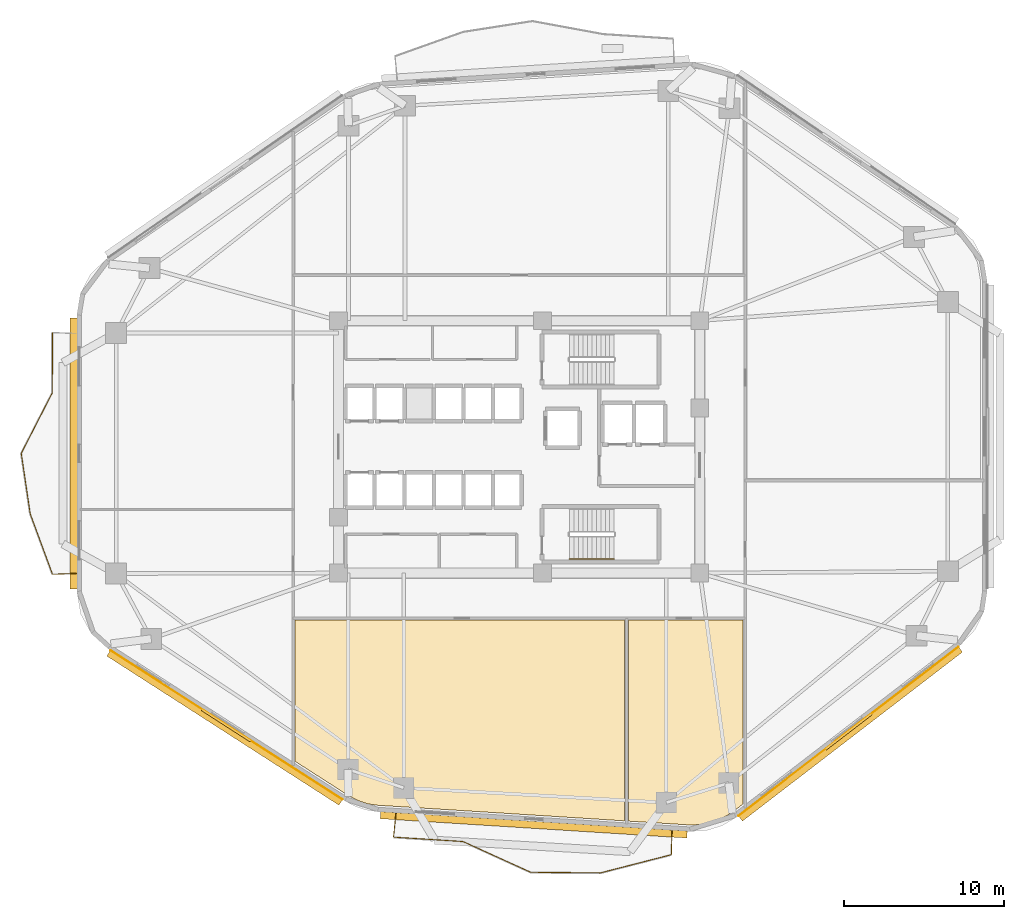
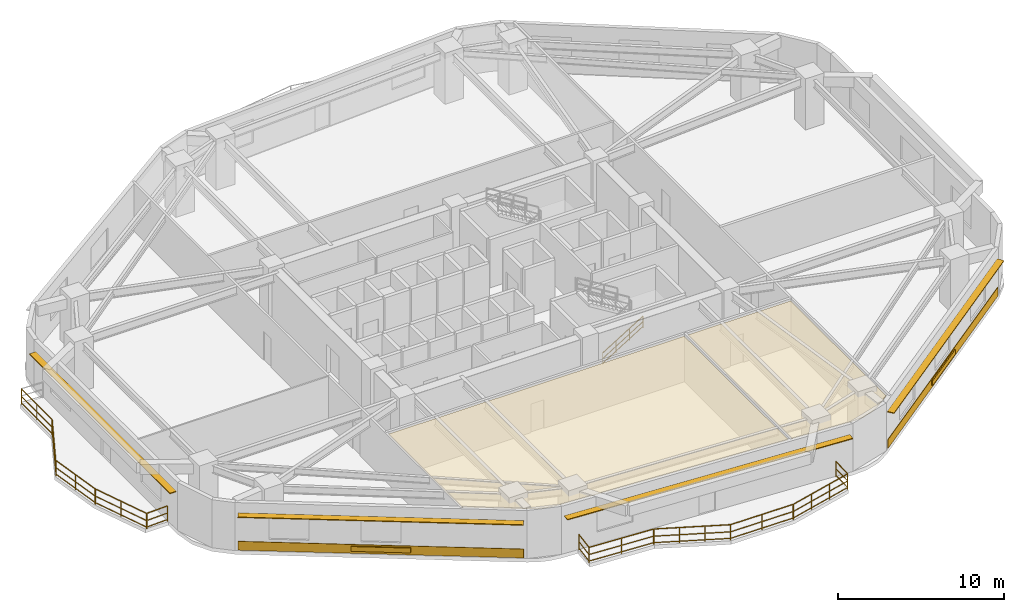
# One storey, part 7 of 11: 12 railings, 6 shading devices, 4 coverings.
"""IFC4 building model written with IfcOpenShell, lengths in metres."""

from ifc_helpers import new_model, si_unit, direction, frame, origin, origin_2d, place, context, subcontext, project, spatial, polyline, rectangle, outline, extrude, material, layer, layer_set, type_object, element, save


model = new_model("IFC4")

# Units and contexts
model_context = context("Model", 3, precision=1e-05, world=origin(), true_north=direction((0.0, 1.0)))
body_context = subcontext(model_context, "Body", "Model", "MODEL_VIEW")
ifc_project = project(units=[si_unit("LENGTHUNIT", "METRE"), si_unit("AREAUNIT", "SQUARE_METRE"), si_unit("VOLUMEUNIT", "CUBIC_METRE"), si_unit("PLANEANGLEUNIT", "RADIAN"), si_unit("MASSUNIT", "GRAM", prefix="KILO")], contexts=[model_context])

# Site, building, storey
site_placement = place(None, origin())
site = spatial("IfcSite", under=ifc_project, at=site_placement, CompositionType="ELEMENT")
building_placement = place(site_placement, origin())
building = spatial("IfcBuilding", under=site, at=building_placement, Name="Zulverin Broadcast Headquarters", CompositionType="ELEMENT")
storey_placement = place(building_placement, frame((0.0, 0.0, 28.800048828125)))
storey = spatial("IfcBuildingStorey", under=building, at=storey_placement, Name="L06", CompositionType="ELEMENT", Elevation=28.800048828125)

# Coverings
ifc_material_1 = material(Name="Perforated pale-metal acoustic baffle ceiling", Category="aluminium")
ifc_layer_1 = layer(ifc_material_1, 0.0400390625, Name="Perforated pale-metal acoustic baffle ceiling", Category="aluminium")
ifc_layer_set_1 = layer_set([ifc_layer_1], Name="Perforated pale-metal acoustic baffle ceiling")
covering_type_1 = type_object("IfcCoveringType", Name="COV-CEIL-ACOU", PredefinedType="CEILING", material=ifc_layer_set_1)
covering_1_placement = place(storey_placement, frame((0.0, 0.0, 3.344970703125)))
element("IfcCovering", 1, at=covering_1_placement, inside=storey, type_object=covering_type_1, Name="L06 Acoustic Baffle Ceiling 02", PredefinedType="CEILING", context=body_context, shape_type="SweptSolid", body=[
    extrude(outline(polyline([(23.02001953125, 14.3798828125), (23.02001953125, 5.572021484375), (26.347900390625, 3.43603515625), (26.931884765625, 3.1279296875), (27.5439453125, 2.924072265625), (28.19189453125, 2.83203125), (43.580078125, 1.860107421875), (43.580078125, 14.3798828125), (23.02001953125, 14.3798828125)])), origin(), (0.0, 0.0, 1.0), 0.0400390625),
])
covering_2_placement = place(storey_placement, frame((0.0, 0.0, 3.344970703125)))
element("IfcCovering", 2, at=covering_2_placement, inside=storey, type_object=covering_type_1, Name="L06 Acoustic Baffle Ceiling 03", PredefinedType="CEILING", context=body_context, shape_type="SweptSolid", body=[
    extrude(outline(polyline([(43.820068359375, 14.3798828125), (43.820068359375, 1.843994140625), (47.69189453125, 1.60009765625), (48.6240234375, 1.652099609375), (49.488037109375, 1.919921875), (50.2880859375, 2.39208984375), (50.97998046875, 2.924072265625), (50.97998046875, 14.3798828125), (43.820068359375, 14.3798828125)])), origin(), (0.0, 0.0, 1.0), 0.0400390625),
])
ifc_material_2 = material(Name="Brushed pale-aluminium rainscreen cladding", Category="aluminium")
ifc_layer_2 = layer(ifc_material_2, 0.0400390625, Name="Brushed pale-aluminium rainscreen cladding", Category="aluminium")
ifc_layer_set_2 = layer_set([ifc_layer_2], Name="Brushed pale-aluminium rainscreen cladding")
covering_type_2 = type_object("IfcCoveringType", Name="COV-CLAD-PALE", PredefinedType="CLADDING", material=ifc_layer_set_2)
covering_3_placement = place(storey_placement, frame((57.542724609375, 7.448974609375, 0.054931640625), z_axis=(0.0, 0.0, 1.0), x_axis=(0.792933468586, 0.609308226102, 0.0)))
element("IfcCovering", 3, at=covering_3_placement, inside=storey, type_object=covering_type_2, Name="L06 Brushed Pale-Aluminium Spandrel Cladding 2", PredefinedType="CLADDING", context=body_context, shape_type="SweptSolid", body=[
    extrude(rectangle(XDim=17.312744140625, YDim=0.0400390625, at=origin_2d()), origin(), (0.0, 0.0, 1.0), 0.64990234375),
])
covering_4_placement = place(storey_placement, frame((18.732666015625, 7.84130859375, 0.054931640625), z_axis=(0.0, 0.0, 1.0), x_axis=(0.841296678234, -0.540573676007, 0.0)))
element("IfcCovering", 4, at=covering_4_placement, inside=storey, type_object=covering_type_2, Name="L06 Brushed Pale-Aluminium Spandrel Cladding 8", PredefinedType="CLADDING", context=body_context, shape_type="SweptSolid", body=[
    extrude(rectangle(XDim=17.2119140625, YDim=0.0400390625, at=origin_2d()), origin(), (0.0, 0.0, 1.0), 0.64990234375),
])

# Railings
ifc_material_3 = material(Name="Brushed stainless steel & laminated glass balustrade", Category="steel")
railing_type_1 = type_object("IfcRailingType", Name="RL-GUARD-1150", PredefinedType="GUARDRAIL", material=ifc_material_3)
railing_1_placement = place(storey_placement, frame((7.8798828125, 32.329345703125, 0.0)))
element("IfcRailing", 5, at=railing_1_placement, inside=storey, type_object=railing_type_1, Name="L06 Vertical-Forest Balcony Guardrail BAL_W Segment 02", PredefinedType="GUARDRAIL", context=body_context, shape_type="SweptSolid", body=[
    extrude(rectangle(XDim=0.048095703125, YDim=0.048095703125, at=origin_2d()), frame((0.0, 0.0, 1.1259765625), z_axis=(-0.003911312976, -0.999992350786, 0.0), x_axis=(0.999992350786, -0.003911312976, 0.0)), (0.0, 0.0, 1.0), 3.7451171875),
    extrude(rectangle(XDim=0.0419921875, YDim=0.0419921875, at=origin_2d()), frame((0.0, 0.0, 0.597900390625), z_axis=(-0.003911312976, -0.999992350786, 0.0), x_axis=(0.999992350786, -0.003911312976, 0.0)), (0.0, 0.0, 1.0), 3.7451171875),
    extrude(rectangle(XDim=0.0419921875, YDim=0.0419921875, at=origin_2d()), frame((0.0, 0.0, 0.1201171875), z_axis=(-0.003911312976, -0.999992350786, 0.0), x_axis=(0.999992350786, -0.003911312976, 0.0)), (0.0, 0.0, 1.0), 3.7451171875),
    extrude(rectangle(XDim=0.0419921875, YDim=0.0419921875, at=origin_2d()), origin(), (0.0, 0.0, 1.0), 1.101806640625),
    extrude(rectangle(XDim=0.0419921875, YDim=0.0419921875, at=origin_2d()), frame((-0.00732421875, -1.87255859375, 0.0)), (0.0, 0.0, 1.0), 1.101806640625),
    extrude(rectangle(XDim=0.0419921875, YDim=0.0419921875, at=origin_2d()), frame((-0.0146484375, -3.7451171875, 0.0)), (0.0, 0.0, 1.0), 1.101806640625),
])
railing_2_placement = place(storey_placement, frame((7.8583984375, 28.555908203125, 0.0)))
element("IfcRailing", 6, at=railing_2_placement, inside=storey, type_object=railing_type_1, Name="L06 Vertical-Forest Balcony Guardrail BAL_W Segment 03", PredefinedType="GUARDRAIL", context=body_context, shape_type="SweptSolid", body=[
    extrude(rectangle(XDim=0.048095703125, YDim=0.048095703125, at=origin_2d()), frame((0.0, 0.0, 1.1259765625), z_axis=(-0.456186033924, -0.889884432077, 0.0), x_axis=(0.889884432077, -0.456186033924, 0.0)), (0.0, 0.0, 1.0), 4.21240234375),
    extrude(rectangle(XDim=0.0419921875, YDim=0.0419921875, at=origin_2d()), frame((0.0, 0.0, 0.597900390625), z_axis=(-0.456186033924, -0.889884432077, 0.0), x_axis=(0.889884432077, -0.456186033924, 0.0)), (0.0, 0.0, 1.0), 4.21240234375),
    extrude(rectangle(XDim=0.0419921875, YDim=0.0419921875, at=origin_2d()), frame((0.0, 0.0, 0.1201171875), z_axis=(-0.456186033924, -0.889884432077, 0.0), x_axis=(0.889884432077, -0.456186033924, 0.0)), (0.0, 0.0, 1.0), 4.21240234375),
    extrude(rectangle(XDim=0.0419921875, YDim=0.0419921875, at=origin_2d()), origin(), (0.0, 0.0, 1.0), 1.101806640625),
    extrude(rectangle(XDim=0.0419921875, YDim=0.0419921875, at=origin_2d()), frame((-0.9609375, -1.874267578125, 0.0)), (0.0, 0.0, 1.0), 1.101806640625),
    extrude(rectangle(XDim=0.0419921875, YDim=0.0419921875, at=origin_2d()), frame((-1.921630859375, -3.74853515625, 0.0)), (0.0, 0.0, 1.0), 1.101806640625),
])
railing_3_placement = place(storey_placement, frame((5.93212890625, 24.779296875, 0.0)))
element("IfcRailing", 7, at=railing_3_placement, inside=storey, type_object=railing_type_1, Name="L06 Vertical-Forest Balcony Guardrail BAL_W Segment 04", PredefinedType="GUARDRAIL", context=body_context, shape_type="SweptSolid", body=[
    extrude(rectangle(XDim=0.048095703125, YDim=0.048095703125, at=origin_2d()), frame((0.0, 0.0, 1.1259765625), z_axis=(0.146429483954, -0.989221110889, 0.0), x_axis=(0.989221110889, 0.146429483954, 0.0)), (0.0, 0.0, 1.0), 3.786376953125),
    extrude(rectangle(XDim=0.0419921875, YDim=0.0419921875, at=origin_2d()), frame((0.0, 0.0, 0.597900390625), z_axis=(0.146429483954, -0.989221110889, 0.0), x_axis=(0.989221110889, 0.146429483954, 0.0)), (0.0, 0.0, 1.0), 3.786376953125),
    extrude(rectangle(XDim=0.0419921875, YDim=0.0419921875, at=origin_2d()), frame((0.0, 0.0, 0.1201171875), z_axis=(0.146429483954, -0.989221110889, 0.0), x_axis=(0.989221110889, 0.146429483954, 0.0)), (0.0, 0.0, 1.0), 3.786376953125),
    extrude(rectangle(XDim=0.0419921875, YDim=0.0419921875, at=origin_2d()), origin(), (0.0, 0.0, 1.0), 1.101806640625),
    extrude(rectangle(XDim=0.0419921875, YDim=0.0419921875, at=origin_2d()), frame((0.27734375, -1.872802734375, 0.0)), (0.0, 0.0, 1.0), 1.101806640625),
    extrude(rectangle(XDim=0.0419921875, YDim=0.0419921875, at=origin_2d()), frame((0.554443359375, -3.74560546875, 0.0)), (0.0, 0.0, 1.0), 1.101806640625),
])
railing_4_placement = place(storey_placement, frame((6.493896484375, 21.004638671875, 0.0)))
element("IfcRailing", 8, at=railing_4_placement, inside=storey, type_object=railing_type_1, Name="L06 Vertical-Forest Balcony Guardrail BAL_W Segment 05", PredefinedType="GUARDRAIL", context=body_context, shape_type="SweptSolid", body=[
    extrude(rectangle(XDim=0.048095703125, YDim=0.048095703125, at=origin_2d()), frame((0.0, 0.0, 1.1259765625), z_axis=(0.345804522043, -0.93830657705, 0.0), x_axis=(0.93830657705, 0.345804522043, 0.0)), (0.0, 0.0, 1.0), 3.9931640625),
    extrude(rectangle(XDim=0.0419921875, YDim=0.0419921875, at=origin_2d()), frame((0.0, 0.0, 0.597900390625), z_axis=(0.345804522043, -0.93830657705, 0.0), x_axis=(0.93830657705, 0.345804522043, 0.0)), (0.0, 0.0, 1.0), 3.9931640625),
    extrude(rectangle(XDim=0.0419921875, YDim=0.0419921875, at=origin_2d()), frame((0.0, 0.0, 0.1201171875), z_axis=(0.345804522043, -0.93830657705, 0.0), x_axis=(0.93830657705, 0.345804522043, 0.0)), (0.0, 0.0, 1.0), 3.9931640625),
    extrude(rectangle(XDim=0.0419921875, YDim=0.0419921875, at=origin_2d()), origin(), (0.0, 0.0, 1.0), 1.101806640625),
    extrude(rectangle(XDim=0.0419921875, YDim=0.0419921875, at=origin_2d()), frame((0.6904296875, -1.87353515625, 0.0)), (0.0, 0.0, 1.0), 1.101806640625),
    extrude(rectangle(XDim=0.0419921875, YDim=0.0419921875, at=origin_2d()), frame((1.380859375, -3.746826171875, 0.0)), (0.0, 0.0, 1.0), 1.101806640625),
])
railing_5_placement = place(storey_placement, frame((7.89501953125, 17.244140625, 0.0)))
element("IfcRailing", 9, at=railing_5_placement, inside=storey, type_object=railing_type_1, Name="L06 Vertical-Forest Balcony Guardrail BAL_W Segment 06", PredefinedType="GUARDRAIL", context=body_context, shape_type="SweptSolid", body=[
    extrude(rectangle(XDim=0.048095703125, YDim=0.048095703125, at=origin_2d()), frame((0.0, 0.0, 1.1259765625), z_axis=(0.999174410196, 0.040626321628, 0.0), x_axis=(-0.040626321628, 0.999174410196, 0.0)), (0.0, 0.0, 1.0), 1.46630859375),
    extrude(rectangle(XDim=0.0419921875, YDim=0.0419921875, at=origin_2d()), frame((0.0, 0.0, 0.597900390625), z_axis=(0.999174410196, 0.040626321628, 0.0), x_axis=(-0.040626321628, 0.999174410196, 0.0)), (0.0, 0.0, 1.0), 1.46630859375),
    extrude(rectangle(XDim=0.0419921875, YDim=0.0419921875, at=origin_2d()), frame((0.0, 0.0, 0.1201171875), z_axis=(0.999174410196, 0.040626321628, 0.0), x_axis=(-0.040626321628, 0.999174410196, 0.0)), (0.0, 0.0, 1.0), 1.46630859375),
    extrude(rectangle(XDim=0.0419921875, YDim=0.0419921875, at=origin_2d()), origin(), (0.0, 0.0, 1.0), 1.101806640625),
    extrude(rectangle(XDim=0.0419921875, YDim=0.0419921875, at=origin_2d()), frame((1.465087890625, 0.0595703125, 0.0)), (0.0, 0.0, 1.0), 1.101806640625),
])
railing_6_placement = place(storey_placement, frame((29.3076171875, 2.318603515625, 0.0)))
element("IfcRailing", 10, at=railing_6_placement, inside=storey, type_object=railing_type_1, Name="L06 Vertical-Forest Balcony Guardrail BAL_S Segment 01", PredefinedType="GUARDRAIL", context=body_context, shape_type="SweptSolid", body=[
    extrude(rectangle(XDim=0.048095703125, YDim=0.048095703125, at=origin_2d()), frame((0.0, 0.0, 1.1259765625), z_axis=(-0.103228615139, -0.99465765619, 0.0), x_axis=(0.99465765619, -0.103228615139, 0.0)), (0.0, 0.0, 1.0), 1.46630859375),
    extrude(rectangle(XDim=0.0419921875, YDim=0.0419921875, at=origin_2d()), frame((0.0, 0.0, 0.597900390625), z_axis=(-0.103228615139, -0.99465765619, 0.0), x_axis=(0.99465765619, -0.103228615139, 0.0)), (0.0, 0.0, 1.0), 1.46630859375),
    extrude(rectangle(XDim=0.0419921875, YDim=0.0419921875, at=origin_2d()), frame((0.0, 0.0, 0.1201171875), z_axis=(-0.103228615139, -0.99465765619, 0.0), x_axis=(0.99465765619, -0.103228615139, 0.0)), (0.0, 0.0, 1.0), 1.46630859375),
    extrude(rectangle(XDim=0.0419921875, YDim=0.0419921875, at=origin_2d()), origin(), (0.0, 0.0, 1.0), 1.101806640625),
    extrude(rectangle(XDim=0.0419921875, YDim=0.0419921875, at=origin_2d()), frame((-0.1513671875, -1.45849609375, 0.0)), (0.0, 0.0, 1.0), 1.101806640625),
])
railing_7_placement = place(storey_placement, frame((29.169677734375, 0.84423828125, 0.0)))
element("IfcRailing", 11, at=railing_7_placement, inside=storey, type_object=railing_type_1, Name="L06 Vertical-Forest Balcony Guardrail BAL_S Segment 02", PredefinedType="GUARDRAIL", context=body_context, shape_type="SweptSolid", body=[
    extrude(rectangle(XDim=0.048095703125, YDim=0.048095703125, at=origin_2d()), frame((0.0, 0.0, 1.1259765625), z_axis=(0.998014296805, -0.062987803365, 0.0), x_axis=(0.062987803365, 0.998014296805, 0.0)), (0.0, 0.0, 1.0), 4.31396484375),
    extrude(rectangle(XDim=0.0419921875, YDim=0.0419921875, at=origin_2d()), frame((0.0, 0.0, 0.597900390625), z_axis=(0.998014296805, -0.062987803365, 0.0), x_axis=(0.062987803365, 0.998014296805, 0.0)), (0.0, 0.0, 1.0), 4.31396484375),
    extrude(rectangle(XDim=0.0419921875, YDim=0.0419921875, at=origin_2d()), frame((0.0, 0.0, 0.1201171875), z_axis=(0.998014296805, -0.062987803365, 0.0), x_axis=(0.062987803365, 0.998014296805, 0.0)), (0.0, 0.0, 1.0), 4.31396484375),
    extrude(rectangle(XDim=0.0419921875, YDim=0.0419921875, at=origin_2d()), origin(), (0.0, 0.0, 1.0), 1.101806640625),
    extrude(rectangle(XDim=0.0419921875, YDim=0.0419921875, at=origin_2d()), frame((2.15283203125, -0.1357421875, 0.0)), (0.0, 0.0, 1.0), 1.101806640625),
    extrude(rectangle(XDim=0.0419921875, YDim=0.0419921875, at=origin_2d()), frame((4.305419921875, -0.271728515625, 0.0)), (0.0, 0.0, 1.0), 1.101806640625),
])
railing_8_placement = place(storey_placement, frame((33.50390625, 0.5654296875, 0.0)))
element("IfcRailing", 12, at=railing_8_placement, inside=storey, type_object=railing_type_1, Name="L06 Vertical-Forest Balcony Guardrail BAL_S Segment 03", PredefinedType="GUARDRAIL", context=body_context, shape_type="SweptSolid", body=[
    extrude(rectangle(XDim=0.048095703125, YDim=0.048095703125, at=origin_2d()), frame((0.0, 0.0, 1.1259765625), z_axis=(0.910639731455, -0.413201257859, 0.0), x_axis=(0.413201257859, 0.910639731455, 0.0)), (0.0, 0.0, 1.0), 4.616943359375),
    extrude(rectangle(XDim=0.0419921875, YDim=0.0419921875, at=origin_2d()), frame((0.0, 0.0, 0.597900390625), z_axis=(0.910639731455, -0.413201257859, 0.0), x_axis=(0.413201257859, 0.910639731455, 0.0)), (0.0, 0.0, 1.0), 4.616943359375),
    extrude(rectangle(XDim=0.0419921875, YDim=0.0419921875, at=origin_2d()), frame((0.0, 0.0, 0.1201171875), z_axis=(0.910639731455, -0.413201257859, 0.0), x_axis=(0.413201257859, 0.910639731455, 0.0)), (0.0, 0.0, 1.0), 4.616943359375),
    extrude(rectangle(XDim=0.0419921875, YDim=0.0419921875, at=origin_2d()), origin(), (0.0, 0.0, 1.0), 1.101806640625),
    extrude(rectangle(XDim=0.0419921875, YDim=0.0419921875, at=origin_2d()), frame((1.4013671875, -0.635986328125, 0.0)), (0.0, 0.0, 1.0), 1.101806640625),
    extrude(rectangle(XDim=0.0419921875, YDim=0.0419921875, at=origin_2d()), frame((2.802978515625, -1.271728515625, 0.0)), (0.0, 0.0, 1.0), 1.101806640625),
    extrude(rectangle(XDim=0.0419921875, YDim=0.0419921875, at=origin_2d()), frame((4.204345703125, -1.90771484375, 0.0)), (0.0, 0.0, 1.0), 1.101806640625),
])
railing_9_placement = place(storey_placement, frame((37.737060546875, -1.3486328125, 0.0)))
element("IfcRailing", 13, at=railing_9_placement, inside=storey, type_object=railing_type_1, Name="L06 Vertical-Forest Balcony Guardrail BAL_S Segment 04", PredefinedType="GUARDRAIL", context=body_context, shape_type="SweptSolid", body=[
    extrude(rectangle(XDim=0.048095703125, YDim=0.048095703125, at=origin_2d()), frame((0.0, 0.0, 1.1259765625), z_axis=(0.99996643514, -0.008193204108, 0.0), x_axis=(0.008193204108, 0.99996643514, 0.0)), (0.0, 0.0, 1.0), 4.32080078125),
    extrude(rectangle(XDim=0.0419921875, YDim=0.0419921875, at=origin_2d()), frame((0.0, 0.0, 0.597900390625), z_axis=(0.99996643514, -0.008193204108, 0.0), x_axis=(0.008193204108, 0.99996643514, 0.0)), (0.0, 0.0, 1.0), 4.32080078125),
    extrude(rectangle(XDim=0.0419921875, YDim=0.0419921875, at=origin_2d()), frame((0.0, 0.0, 0.1201171875), z_axis=(0.99996643514, -0.008193204108, 0.0), x_axis=(0.008193204108, 0.99996643514, 0.0)), (0.0, 0.0, 1.0), 4.32080078125),
    extrude(rectangle(XDim=0.0419921875, YDim=0.0419921875, at=origin_2d()), origin(), (0.0, 0.0, 1.0), 1.101806640625),
    extrude(rectangle(XDim=0.0419921875, YDim=0.0419921875, at=origin_2d()), frame((2.16015625, -0.017578125, 0.0)), (0.0, 0.0, 1.0), 1.101806640625),
    extrude(rectangle(XDim=0.0419921875, YDim=0.0419921875, at=origin_2d()), frame((4.320556640625, -0.035400390625, 0.0)), (0.0, 0.0, 1.0), 1.101806640625),
])
railing_10_placement = place(storey_placement, frame((42.087158203125, -1.38037109375, 0.0)))
element("IfcRailing", 14, at=railing_10_placement, inside=storey, type_object=railing_type_1, Name="L06 Vertical-Forest Balcony Guardrail BAL_S Segment 05", PredefinedType="GUARDRAIL", context=body_context, shape_type="SweptSolid", body=[
    extrude(rectangle(XDim=0.048095703125, YDim=0.048095703125, at=origin_2d()), frame((0.0, 0.0, 1.1259765625), z_axis=(0.968604429989, 0.248607035713, 0.0), x_axis=(-0.248607035713, 0.968604429989, 0.0)), (0.0, 0.0, 1.0), 4.5380859375),
    extrude(rectangle(XDim=0.0419921875, YDim=0.0419921875, at=origin_2d()), frame((0.0, 0.0, 0.597900390625), z_axis=(0.968604429989, 0.248607035713, 0.0), x_axis=(-0.248607035713, 0.968604429989, 0.0)), (0.0, 0.0, 1.0), 4.5380859375),
    extrude(rectangle(XDim=0.0419921875, YDim=0.0419921875, at=origin_2d()), frame((0.0, 0.0, 0.1201171875), z_axis=(0.968604429989, 0.248607035713, 0.0), x_axis=(-0.248607035713, 0.968604429989, 0.0)), (0.0, 0.0, 1.0), 4.5380859375),
    extrude(rectangle(XDim=0.0419921875, YDim=0.0419921875, at=origin_2d()), origin(), (0.0, 0.0, 1.0), 1.101806640625),
    extrude(rectangle(XDim=0.0419921875, YDim=0.0419921875, at=origin_2d()), frame((1.465087890625, 0.3759765625, 0.0)), (0.0, 0.0, 1.0), 1.101806640625),
    extrude(rectangle(XDim=0.0419921875, YDim=0.0419921875, at=origin_2d()), frame((2.930419921875, 0.752197265625, 0.0)), (0.0, 0.0, 1.0), 1.101806640625),
    extrude(rectangle(XDim=0.0419921875, YDim=0.0419921875, at=origin_2d()), frame((4.3955078125, 1.128173828125, 0.0)), (0.0, 0.0, 1.0), 1.101806640625),
])
railing_11_placement = place(storey_placement, frame((46.497314453125, -0.233642578125, 0.0)))
element("IfcRailing", 15, at=railing_11_placement, inside=storey, type_object=railing_type_1, Name="L06 Vertical-Forest Balcony Guardrail BAL_S Segment 06", PredefinedType="GUARDRAIL", context=body_context, shape_type="SweptSolid", body=[
    extrude(rectangle(XDim=0.048095703125, YDim=0.048095703125, at=origin_2d()), frame((0.0, 0.0, 1.1259765625), z_axis=(0.022641987457, 0.999743637341, 0.0), x_axis=(-0.999743637341, 0.022641987457, 0.0)), (0.0, 0.0, 1.0), 1.466552734375),
    extrude(rectangle(XDim=0.0419921875, YDim=0.0419921875, at=origin_2d()), frame((0.0, 0.0, 0.597900390625), z_axis=(0.022641987457, 0.999743637341, 0.0), x_axis=(-0.999743637341, 0.022641987457, 0.0)), (0.0, 0.0, 1.0), 1.466552734375),
    extrude(rectangle(XDim=0.0419921875, YDim=0.0419921875, at=origin_2d()), frame((0.0, 0.0, 0.1201171875), z_axis=(0.022641987457, 0.999743637341, 0.0), x_axis=(-0.999743637341, 0.022641987457, 0.0)), (0.0, 0.0, 1.0), 1.466552734375),
    extrude(rectangle(XDim=0.0419921875, YDim=0.0419921875, at=origin_2d()), origin(), (0.0, 0.0, 1.0), 1.101806640625),
    extrude(rectangle(XDim=0.0419921875, YDim=0.0419921875, at=origin_2d()), frame((0.033203125, 1.466064453125, 0.0)), (0.0, 0.0, 1.0), 1.101806640625),
])
ifc_material_4 = material(Name="Brushed stainless steel 48 mm handrail", Category="steel")
railing_type_2 = type_object("IfcRailingType", Name="RL-ST-HAND", PredefinedType="HANDRAIL", material=ifc_material_4)
railing_12_placement = place(storey_placement, frame((40.1298828125, 18.199951171875, 0.172607421875)))
element("IfcRailing", 16, at=railing_12_placement, inside=storey, type_object=railing_type_2, Name="L06 ST-2 stair handrail 1", PredefinedType="HANDRAIL", context=body_context, shape_type="SweptSolid", body=[
    extrude(rectangle(XDim=0.048095703125, YDim=0.048095703125, at=origin_2d()), frame((0.0, 0.0, 0.8759765625), z_axis=(0.851089632645, 0.0, 0.525020415988), x_axis=(0.0, 1.0, 0.0)), (0.0, 0.0, 1.0), 3.2900390625),
    extrude(rectangle(XDim=0.0419921875, YDim=0.0419921875, at=origin_2d()), frame((0.0, 0.0, 0.468017578125), z_axis=(0.851089632645, 0.0, 0.525020415988), x_axis=(0.0, 1.0, 0.0)), (0.0, 0.0, 1.0), 3.2900390625),
    extrude(rectangle(XDim=0.0419921875, YDim=0.0419921875, at=origin_2d()), frame((0.0, 0.0, 0.1201171875), z_axis=(0.851089632645, 0.0, 0.525020415988), x_axis=(0.0, 1.0, 0.0)), (0.0, 0.0, 1.0), 3.2900390625),
    extrude(rectangle(XDim=0.0419921875, YDim=0.0419921875, at=origin_2d()), origin(), (0.0, 0.0, 1.0), 0.851806640625),
    extrude(rectangle(XDim=0.0419921875, YDim=0.0419921875, at=origin_2d()), frame((0.933349609375, 0.0, 0.57568359375)), (0.0, 0.0, 1.0), 0.851806640625),
    extrude(rectangle(XDim=0.0419921875, YDim=0.0419921875, at=origin_2d()), frame((1.86669921875, 0.0, 1.151611328125)), (0.0, 0.0, 1.0), 0.851806640625),
    extrude(rectangle(XDim=0.0419921875, YDim=0.0419921875, at=origin_2d()), frame((2.800048828125, 0.0, 1.727294921875)), (0.0, 0.0, 1.0), 0.851806640625),
])

# Shading devices
ifc_material_5 = material(Name="Anodized pale-metal aluminium acoustic louvre", Category="aluminium")
shading_device_type_1 = type_object("IfcShadingDeviceType", Name="SHD-LOUVRE-350", PredefinedType="USERDEFINED", material=ifc_material_5)
for number, where, z_axis, x_axis, name in (
    (17, (57.56103515625, 7.425048828125, 0.244873046875), (0.0, 0.0, 1.0), (0.792933468586, 0.609308226102, 0.0), "L06 Spandrel Intake Louvre 2"),
    (18, (18.71630859375, 7.816162109375, 0.244873046875), (0.0, 0.0, 1.0), (0.841296678234, -0.540573676007, 0.0), "L06 Spandrel Intake Louvre 8"),
):
    element("IfcShadingDevice", number, at=place(storey_placement, frame(where, z_axis=z_axis, x_axis=x_axis)), inside=storey, type_object=shading_device_type_1, Name=name, ObjectType="LOUVRE", PredefinedType="USERDEFINED", context=body_context, shape_type="SweptSolid", body=[
        extrude(rectangle(XDim=3.60009765625, YDim=0.1201171875, at=origin_2d()), origin(), (0.0, 0.0, 1.0), 0.35009765625),
    ])
ifc_material_6 = material(Name="Anodized pale-metal aluminium sunshade", Category="aluminium")
ifc_layer_3 = layer(ifc_material_6, 0.06005859375, Name="Anodized pale-metal aluminium sunshade", Category="aluminium")
ifc_layer_set_3 = layer_set([ifc_layer_3], Name="Anodized pale-metal aluminium sunshade")
shading_device_type_2 = type_object("IfcShadingDeviceType", Name="SS-01_PALE_METAL_ALUMINIUM_SUNSHADE", PredefinedType="USERDEFINED", material=ifc_layer_set_3)
shading_device_1_placement = place(storey_placement, frame((37.908935546875, 1.61572265625, 2.7099609375), z_axis=(0.0, 0.0, 1.0), x_axis=(0.998017182581, -0.062942062821, 0.0)))
element("IfcShadingDevice", 19, at=shading_device_1_placement, inside=storey, type_object=shading_device_type_2, Name="L06 Horizontal Pale-Metal Sunshade Band 1", ObjectType="SUNSHADE", PredefinedType="USERDEFINED", context=body_context, shape_type="SweptSolid", body=[
    extrude(rectangle(XDim=19.177001953125, YDim=0.449951171875, at=origin_2d()), origin(), (0.0, 0.0, 1.0), 0.06005859375),
])
shading_device_2_placement = place(storey_placement, frame((57.658447265625, 7.29833984375, 2.7099609375), z_axis=(0.0, 0.0, 1.0), x_axis=(0.792933468586, 0.609308226102, 0.0)))
element("IfcShadingDevice", 20, at=shading_device_2_placement, inside=storey, type_object=shading_device_type_2, Name="L06 Horizontal Pale-Metal Sunshade Band 2", ObjectType="SUNSHADE", PredefinedType="USERDEFINED", context=body_context, shape_type="SweptSolid", body=[
    extrude(rectangle(XDim=17.312744140625, YDim=0.449951171875, at=origin_2d()), origin(), (0.0, 0.0, 1.0), 0.06005859375),
])
shading_device_3_placement = place(storey_placement, frame((9.199951171875, 24.7939453125, 2.7099609375), z_axis=(0.0, 0.0, 1.0), x_axis=(0.0, -1.0, 0.0)))
element("IfcShadingDevice", 21, at=shading_device_3_placement, inside=storey, type_object=shading_device_type_2, Name="L06 Horizontal Pale-Metal Sunshade Band 7", ObjectType="SUNSHADE", PredefinedType="USERDEFINED", context=body_context, shape_type="SweptSolid", body=[
    extrude(rectangle(XDim=16.90087890625, YDim=0.449951171875, at=origin_2d()), origin(), (0.0, 0.0, 1.0), 0.06005859375),
])
shading_device_4_placement = place(storey_placement, frame((18.6298828125, 7.681640625, 2.7099609375), z_axis=(0.0, 0.0, 1.0), x_axis=(0.841296678234, -0.540573676007, 0.0)))
element("IfcShadingDevice", 22, at=shading_device_4_placement, inside=storey, type_object=shading_device_type_2, Name="L06 Horizontal Pale-Metal Sunshade Band 8", ObjectType="SUNSHADE", PredefinedType="USERDEFINED", context=body_context, shape_type="SweptSolid", body=[
    extrude(rectangle(XDim=17.2119140625, YDim=0.449951171875, at=origin_2d()), origin(), (0.0, 0.0, 1.0), 0.06005859375),
])

save(model, "model.ifc")
